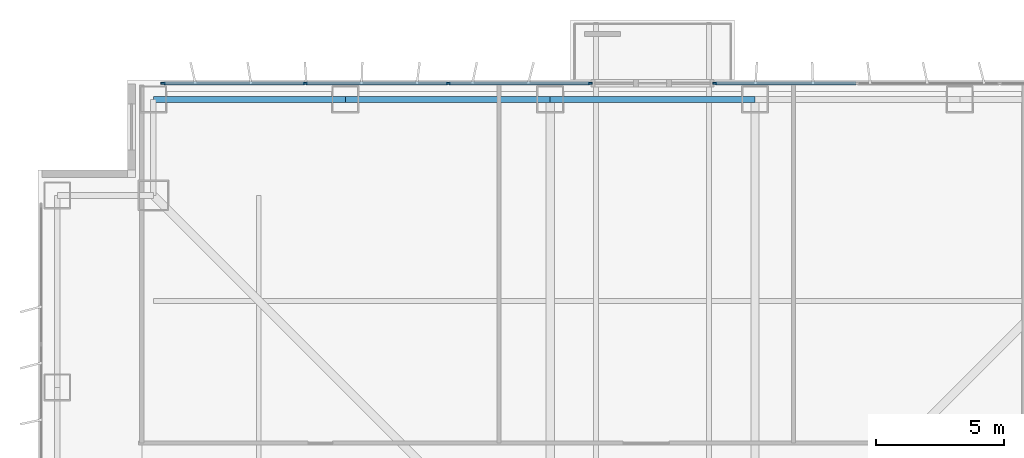
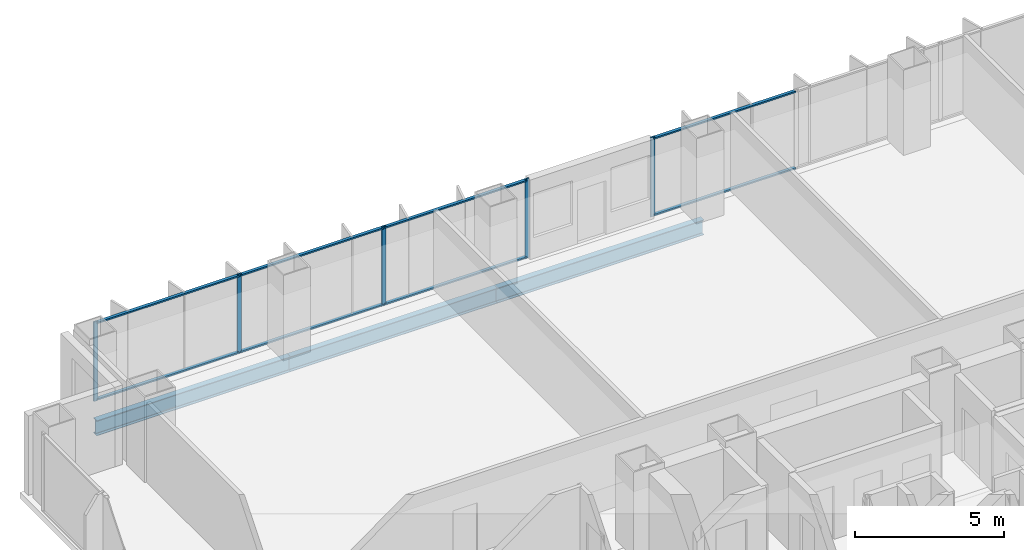
# One storey, part 11 of 21: 13 members, 3 beams, 2 elements without a shape of their own.
"""IFC4 building model written with IfcOpenShell, lengths in metres."""

from ifc_helpers import new_model, si_unit, direction, frame, origin, origin_2d, place, context, subcontext, project, spatial, rectangle, i_section, extrude, material, layer, layer_set, material_profile, profile_set, type_object, element, aggregate, save


model = new_model("IFC4")

# Units and contexts
model_context = context("Model", 3, precision=1e-05, world=origin(), true_north=direction((0.0, 1.0)))
body_context = subcontext(model_context, "Body", "Model", "MODEL_VIEW")
ifc_project = project(units=[si_unit("LENGTHUNIT", "METRE"), si_unit("AREAUNIT", "SQUARE_METRE"), si_unit("VOLUMEUNIT", "CUBIC_METRE"), si_unit("PLANEANGLEUNIT", "RADIAN"), si_unit("MASSUNIT", "GRAM", prefix="KILO")], contexts=[model_context])

# Site, building, storey
site_placement = place(None, origin())
site = spatial("IfcSite", under=ifc_project, at=site_placement, CompositionType="ELEMENT")
building_placement = place(site_placement, origin())
building = spatial("IfcBuilding", under=site, at=building_placement, Name="Trevonay Congress Spire", CompositionType="ELEMENT")
storey_placement = place(building_placement, frame((0.0, 0.0, 37.5)))
storey = spatial("IfcBuildingStorey", under=building, at=storey_placement, Name="L08", CompositionType="ELEMENT", Elevation=37.5)

# Beams
ifc_material_1 = material(Name="Steel ASTM A572 Grade 50", Category="steel")
ifc_material_profile_1 = material_profile(ifc_material_1, i_section(OverallWidth=0.22998046875, OverallDepth=0.616943359375, WebThickness=0.01318359375, FlangeThickness=0.022216796875, FilletRadius=0.01611328125, at=origin_2d()), Name="W610x140")
ifc_profile_set_1 = profile_set([ifc_material_profile_1], Name="Steel ASTM A572 Grade 50")
beam_type = type_object("IfcBeamType", Name="BM-RING-W610X140", PredefinedType="BEAM", material=ifc_profile_set_1)
beam_placement = place(storey_placement, frame((-19.5, 23.25, -0.55859375), z_axis=(1.0, 0.0, 0.0), x_axis=(0.0, 1.0, 0.0)))
element("IfcBeam", 1, at=beam_placement, inside=storey, type_object=beam_type, Name="L08 structural beam BM-L08-PN1", PredefinedType="BEAM", context=body_context, shape_type="SweptSolid", body=[
    extrude(i_section(OverallWidth=0.22998046875, OverallDepth=0.616943359375, WebThickness=0.01318359375, FlangeThickness=0.022216796875, FilletRadius=0.01611328125, at=origin_2d()), origin(), (0.0, 0.0, 1.0), 7.5),
])
for number, where, z_axis, x_axis, name in (
    (2, (-12.0, 23.25, -0.55859375), (1.0, 0.0, 0.0), (0.0, 1.0, 0.0), "L08 structural beam BM-L08-PN2"),
    (3, (-4.0, 23.25, -0.55859375), (1.0, 0.0, 0.0), (0.0, 1.0, 0.0), "L08 structural beam BM-L08-PN3"),
):
    element("IfcBeam", number, at=place(storey_placement, frame(where, z_axis=z_axis, x_axis=x_axis)), inside=storey, type_object=beam_type, Name=name, PredefinedType="BEAM", context=body_context, shape_type="SweptSolid", body=[
        extrude(i_section(OverallWidth=0.22998046875, OverallDepth=0.616943359375, WebThickness=0.01318359375, FlangeThickness=0.022216796875, FilletRadius=0.01611328125, at=origin_2d()), origin(), (0.0, 0.0, 1.0), 8.0),
    ])

# Curtain wall, members
ifc_material_2 = material(Name="Pale Anodised Aluminium EN AW-6063-T6", Category="aluminium")
ifc_layer = layer(ifc_material_2, 0.179931640625, Name="Pale Anodised Aluminium EN AW-6063-T6")
ifc_layer_set = layer_set([ifc_layer], Name="Pale Anodised Aluminium EN AW-6063-T6")
curtain_wall_type = type_object("IfcCurtainWallType", Name="CW-SYS02-HOTEL-PALE-METAL", PredefinedType="NOTDEFINED", material=ifc_layer_set)
curtain_wall_1_placement = place(storey_placement, origin())
curtain_wall_1 = element("IfcCurtainWall", 4, at=curtain_wall_1_placement, inside=storey, type_object=curtain_wall_type, Name="L08 NA unitised curtain wall", PredefinedType="NOTDEFINED")
ifc_material_profile_2 = material_profile(ifc_material_2, rectangle(XDim=0.06005859375, YDim=0.159912109375, at=origin_2d()), Name="CW-MULLION-160-ALUMINIUM")
ifc_profile_set_2 = profile_set([ifc_material_profile_2], Name="Pale Anodised Aluminium EN AW-6063-T6")
member_type_1 = type_object("IfcMemberType", Name="CW-MULLION-160-ALUMINIUM", PredefinedType="MULLION", material=ifc_profile_set_2)
member_1_placement = place(storey_placement, frame((-19.1201171875, 23.8798828125, 0.0), z_axis=(0.0, 0.0, 1.0), x_axis=(0.0, 1.0, 0.0)))
member_1 = element("IfcMember", 5, at=member_1_placement, type_object=member_type_1, Name="CW02 mullion 1", PredefinedType="MULLION", context=body_context, shape_type="SweptSolid", body=[
    extrude(rectangle(XDim=0.06005859375, YDim=0.159912109375, at=origin_2d()), origin(), (0.0, 0.0, 1.0), 3.25),
])
member_2_placement = place(storey_placement, frame((-13.566650390625, 23.8798828125, 0.0), z_axis=(0.0, 0.0, 1.0), x_axis=(0.0, 1.0, 0.0)))
member_2 = element("IfcMember", 6, at=member_2_placement, type_object=member_type_1, Name="CW02 mullion 2", PredefinedType="MULLION", context=body_context, shape_type="SweptSolid", body=[
    extrude(rectangle(XDim=0.06005859375, YDim=0.159912109375, at=origin_2d()), origin(), (0.0, 0.0, 1.0), 3.25),
])
member_3_placement = place(storey_placement, frame((-7.9833984375, 23.8798828125, 0.0), z_axis=(0.0, 0.0, 1.0), x_axis=(0.0, 1.0, 0.0)))
member_3 = element("IfcMember", 7, at=member_3_placement, type_object=member_type_1, Name="CW02 mullion 3", PredefinedType="MULLION", context=body_context, shape_type="SweptSolid", body=[
    extrude(rectangle(XDim=0.06005859375, YDim=0.159912109375, at=origin_2d()), origin(), (0.0, 0.0, 1.0), 3.25),
])
member_4_placement = place(storey_placement, frame((-2.429931640625, 23.8798828125, 0.0), z_axis=(0.0, 0.0, 1.0), x_axis=(0.0, 1.0, 0.0)))
member_4 = element("IfcMember", 8, at=member_4_placement, type_object=member_type_1, Name="CW02 mullion 4", PredefinedType="MULLION", context=body_context, shape_type="SweptSolid", body=[
    extrude(rectangle(XDim=0.06005859375, YDim=0.159912109375, at=origin_2d()), origin(), (0.0, 0.0, 1.0), 3.25),
])

# Curtain wall, member
curtain_wall_2_placement = place(storey_placement, origin())
curtain_wall_2 = element("IfcCurtainWall", 9, at=curtain_wall_2_placement, inside=storey, type_object=curtain_wall_type, Name="L08 NB unitised curtain wall", PredefinedType="NOTDEFINED")
member_5_placement = place(storey_placement, frame((2.429931640625, 23.8798828125, 0.0), z_axis=(0.0, 0.0, 1.0), x_axis=(0.0, 1.0, 0.0)))
member_5 = element("IfcMember", 10, at=member_5_placement, type_object=member_type_1, Name="CW02 mullion 1", PredefinedType="MULLION", context=body_context, shape_type="SweptSolid", body=[
    extrude(rectangle(XDim=0.06005859375, YDim=0.159912109375, at=origin_2d()), origin(), (0.0, 0.0, 1.0), 3.25),
])

# Member
ifc_material_profile_3 = material_profile(ifc_material_2, rectangle(XDim=0.1201171875, YDim=0.06005859375, at=origin_2d()), Name="CW-TRANSOM-120-ALUMINIUM")
ifc_profile_set_3 = profile_set([ifc_material_profile_3], Name="Pale Anodised Aluminium EN AW-6063-T6")
member_type_2 = type_object("IfcMemberType", Name="CW-TRANSOM-120-ALUMINIUM", PredefinedType="USERDEFINED", material=ifc_profile_set_3)
member_6_placement = place(storey_placement, frame((-19.090087890625, 23.8798828125, 0.06005859375), z_axis=(1.0, 0.0, 0.0), x_axis=(0.0, 1.0, 0.0)))
member_6 = element("IfcMember", 11, at=member_6_placement, type_object=member_type_2, Name="CW02 transom 1.1", ObjectType="TRANSOM", PredefinedType="USERDEFINED", context=body_context, shape_type="SweptSolid", body=[
    extrude(rectangle(XDim=0.1201171875, YDim=0.06005859375, at=origin_2d()), origin(), (0.0, 0.0, 1.0), 5.493408203125),
])

member_7_placement = place(storey_placement, frame((-19.090087890625, 23.8798828125, 3.18994140625), z_axis=(1.0, 0.0, 0.0), x_axis=(0.0, 1.0, 0.0)))
member_7 = element("IfcMember", 12, at=member_7_placement, type_object=member_type_2, Name="CW02 transom 1.2", ObjectType="TRANSOM", PredefinedType="USERDEFINED", context=body_context, shape_type="SweptSolid", body=[
    extrude(rectangle(XDim=0.1201171875, YDim=0.06005859375, at=origin_2d()), origin(), (0.0, 0.0, 1.0), 5.493408203125),
])

member_8_placement = place(storey_placement, frame((-13.53662109375, 23.8798828125, 0.06005859375), z_axis=(1.0, 0.0, 0.0), x_axis=(0.0, 1.0, 0.0)))
member_8 = element("IfcMember", 13, at=member_8_placement, type_object=member_type_2, Name="CW02 transom 2.1", ObjectType="TRANSOM", PredefinedType="USERDEFINED", context=body_context, shape_type="SweptSolid", body=[
    extrude(rectangle(XDim=0.1201171875, YDim=0.06005859375, at=origin_2d()), origin(), (0.0, 0.0, 1.0), 5.523193359375),
])

member_9_placement = place(storey_placement, frame((-13.53662109375, 23.8798828125, 3.18994140625), z_axis=(1.0, 0.0, 0.0), x_axis=(0.0, 1.0, 0.0)))
member_9 = element("IfcMember", 14, at=member_9_placement, type_object=member_type_2, Name="CW02 transom 2.2", ObjectType="TRANSOM", PredefinedType="USERDEFINED", context=body_context, shape_type="SweptSolid", body=[
    extrude(rectangle(XDim=0.1201171875, YDim=0.06005859375, at=origin_2d()), origin(), (0.0, 0.0, 1.0), 5.523193359375),
])

member_10_placement = place(storey_placement, frame((-7.953369140625, 23.8798828125, 0.06005859375), z_axis=(1.0, 0.0, 0.0), x_axis=(0.0, 1.0, 0.0)))
member_10 = element("IfcMember", 15, at=member_10_placement, type_object=member_type_2, Name="CW02 transom 3.1", ObjectType="TRANSOM", PredefinedType="USERDEFINED", context=body_context, shape_type="SweptSolid", body=[
    extrude(rectangle(XDim=0.1201171875, YDim=0.06005859375, at=origin_2d()), origin(), (0.0, 0.0, 1.0), 5.493408203125),
])

member_11_placement = place(storey_placement, frame((-7.953369140625, 23.8798828125, 3.18994140625), z_axis=(1.0, 0.0, 0.0), x_axis=(0.0, 1.0, 0.0)))
member_11 = element("IfcMember", 16, at=member_11_placement, type_object=member_type_2, Name="CW02 transom 3.2", ObjectType="TRANSOM", PredefinedType="USERDEFINED", context=body_context, shape_type="SweptSolid", body=[
    extrude(rectangle(XDim=0.1201171875, YDim=0.06005859375, at=origin_2d()), origin(), (0.0, 0.0, 1.0), 5.493408203125),
])

aggregate(curtain_wall_1, [member_1, member_2, member_3, member_4, member_6, member_7, member_8, member_9, member_10, member_11])

member_12_placement = place(storey_placement, frame((2.4599609375, 23.8798828125, 0.06005859375), z_axis=(1.0, 0.0, 0.0), x_axis=(0.0, 1.0, 0.0)))
member_12 = element("IfcMember", 17, at=member_12_placement, type_object=member_type_2, Name="CW02 transom 1.1", ObjectType="TRANSOM", PredefinedType="USERDEFINED", context=body_context, shape_type="SweptSolid", body=[
    extrude(rectangle(XDim=0.1201171875, YDim=0.06005859375, at=origin_2d()), origin(), (0.0, 0.0, 1.0), 5.493408203125),
])

member_13_placement = place(storey_placement, frame((2.4599609375, 23.8798828125, 3.18994140625), z_axis=(1.0, 0.0, 0.0), x_axis=(0.0, 1.0, 0.0)))
member_13 = element("IfcMember", 18, at=member_13_placement, type_object=member_type_2, Name="CW02 transom 1.2", ObjectType="TRANSOM", PredefinedType="USERDEFINED", context=body_context, shape_type="SweptSolid", body=[
    extrude(rectangle(XDim=0.1201171875, YDim=0.06005859375, at=origin_2d()), origin(), (0.0, 0.0, 1.0), 5.493408203125),
])

aggregate(curtain_wall_2, [member_5, member_12, member_13])

save(model, "model.ifc")
